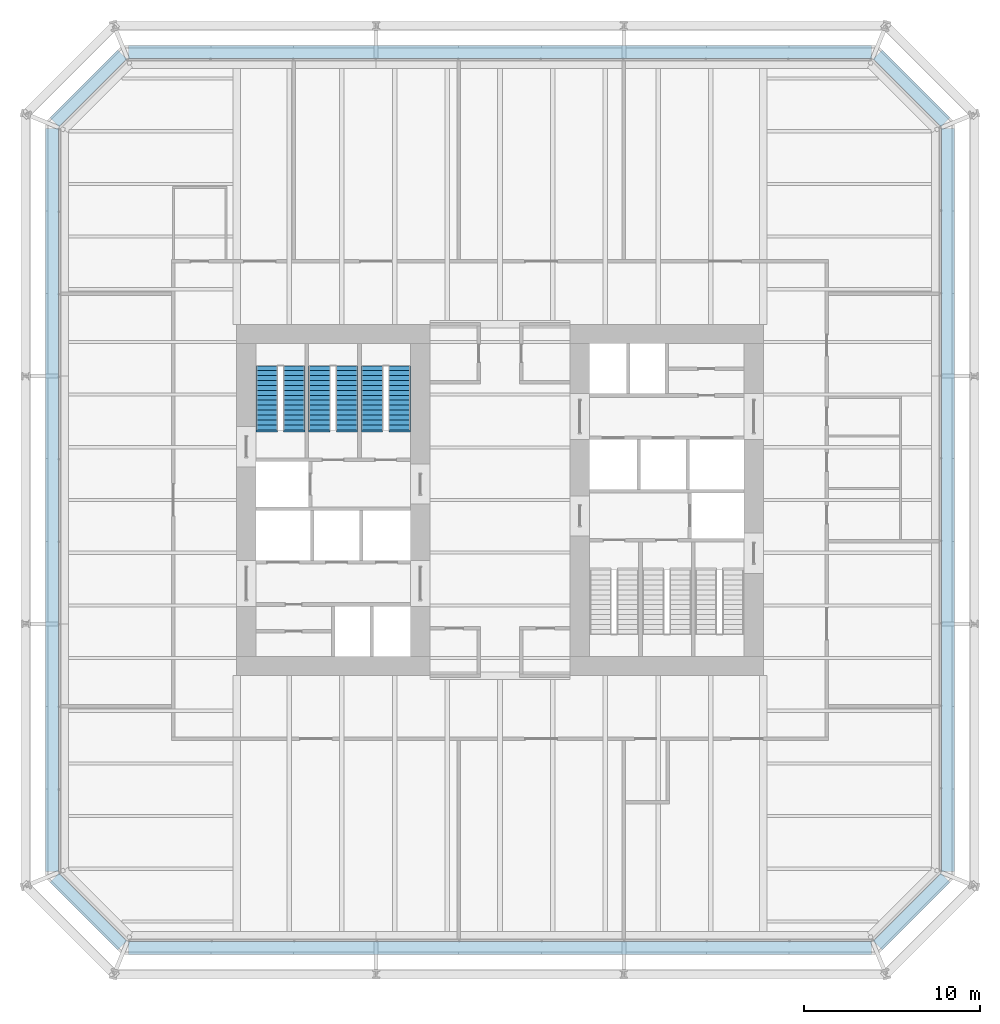
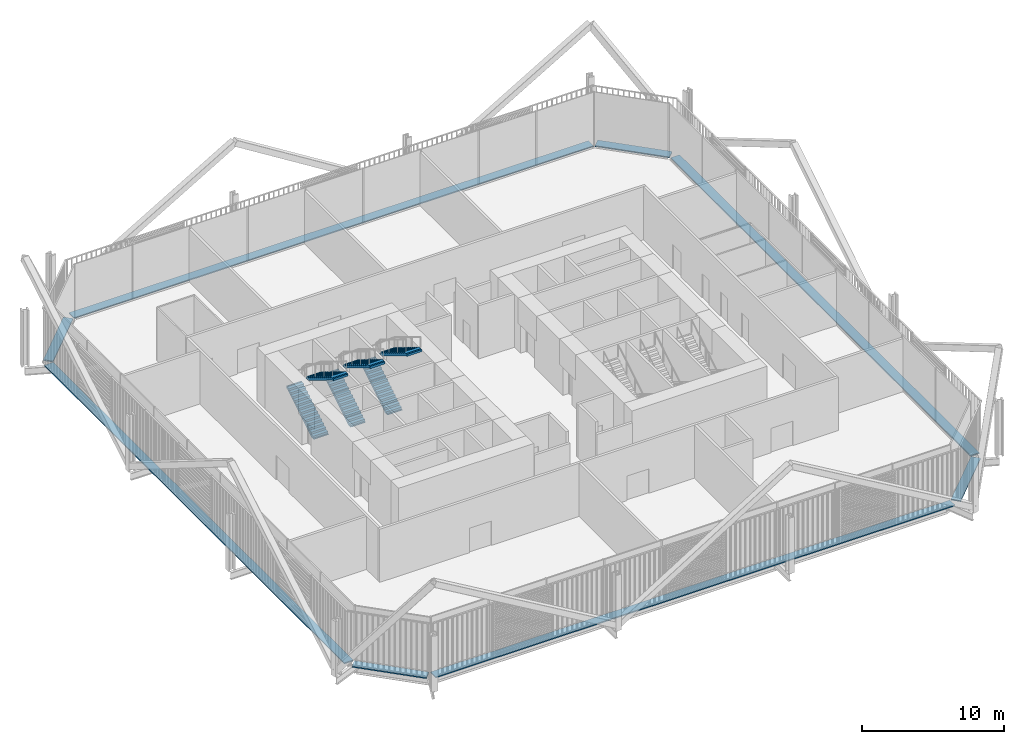
# One storey, part 21 of 22: 8 discrete accessories, 6 stair flights, 3 elements without a shape of their own.
"""IFC4 building model written with IfcOpenShell, lengths in metres."""

from ifc_helpers import new_model, si_unit, direction, frame, origin, origin_2d, place, context, subcontext, project, spatial, polyline, rectangle, outline, extrude, material, type_object, element, aggregate, save


model = new_model("IFC4")

# Units and contexts
model_context = context("Model", 3, precision=1e-05, world=origin(), true_north=direction((0.0, 1.0)))
body_context = subcontext(model_context, "Body", "Model", "MODEL_VIEW")
ifc_project = project(units=[si_unit("LENGTHUNIT", "METRE"), si_unit("AREAUNIT", "SQUARE_METRE"), si_unit("VOLUMEUNIT", "CUBIC_METRE"), si_unit("PLANEANGLEUNIT", "RADIAN"), si_unit("MASSUNIT", "GRAM", prefix="KILO")], contexts=[model_context])

# Site, building, storey
site_placement = place(None, origin())
site = spatial("IfcSite", under=ifc_project, at=site_placement, CompositionType="ELEMENT")
building_placement = place(site_placement, origin())
building = spatial("IfcBuilding", under=site, at=building_placement, Name="Millrace Tower", CompositionType="ELEMENT")
storey_placement = place(building_placement, frame((0.0, 0.0, 35.300048828125)))
storey = spatial("IfcBuildingStorey", under=building, at=storey_placement, Name="L08", CompositionType="ELEMENT", Elevation=35.300048828125)

# Stair, stair flights
ifc_material_1 = material(Name="Concrete C35", Category="concrete")
stair_type = type_object("IfcStairType", Name="Exit stair", PredefinedType="HALF_TURN_STAIR", material=ifc_material_1)
placement = place(storey_placement, origin())
stair_1 = element("IfcStair", 1, at=placement, inside=storey, type_object=stair_type, Name="Stair 1 W L08", PredefinedType="HALF_TURN_STAIR")
ifc_material_2 = material(Name="Concrete C35", Category="concrete")
stair_flight_type = type_object("IfcStairFlightType", Name="Exit stair flight", PredefinedType="STRAIGHT", material=ifc_material_2)
stair_flight_1_placement = place(storey_placement, frame((-13.2900390625, 4.0, 0.0), z_axis=(0.0, 0.0, 1.0), x_axis=(0.0, 1.0, 0.0)))
stair_flight_1 = element("IfcStairFlight", 2, at=stair_flight_1_placement, type_object=stair_flight_type, Name="ST12 flight 1", NumberOfRisers=14, NumberOfTreads=13, PredefinedType="STRAIGHT", RiserHeight=0.171428571, TreadLength=0.28, context=body_context, shape_type="SweptSolid", body=[
    extrude(outline(polyline([(-0.1201171875, -0.0400390625), (-0.1201171875, 0.0), (0.0, 0.0), (0.0, 0.17138671875), (0.280029296875, 0.17138671875), (0.280029296875, 0.3427734375), (0.56005859375, 0.3427734375), (0.56005859375, 0.514404296875), (0.840087890625, 0.514404296875), (0.840087890625, 0.685791015625), (1.1201171875, 0.685791015625), (1.1201171875, 0.857177734375), (1.39990234375, 0.857177734375), (1.39990234375, 1.028564453125), (1.679931640625, 1.028564453125), (1.679931640625, 1.199951171875), (1.9599609375, 1.199951171875), (1.9599609375, 1.371337890625), (2.239990234375, 1.371337890625), (2.239990234375, 1.54296875), (2.52001953125, 1.54296875), (2.52001953125, 1.71435546875), (2.800048828125, 1.71435546875), (2.800048828125, 1.8857421875), (3.080078125, 1.8857421875), (3.080078125, 2.05712890625), (3.360107421875, 2.05712890625), (3.360107421875, 2.228515625), (3.639892578125, 2.228515625), (3.639892578125, 2.24853515625), (3.760009765625, 2.24853515625), (3.760009765625, 2.052734375), (3.639892578125, 2.052734375), (0.287109375, 0.0), (0.287109375, -0.0400390625), (-0.1201171875, -0.0400390625)])), frame((0.0, 0.60986328125, 0.0), z_axis=(0.0, -1.0, 0.0), x_axis=(1.0, 0.0, 0.0)), (0.0, 0.0, 1.0), 1.219970703125),
])
stair_flight_2_placement = place(storey_placement, frame((-11.7099609375, 7.639892578125, 2.39990234375), z_axis=(0.0, 0.0, 1.0), x_axis=(0.0, -1.0, 0.0)))
stair_flight_2 = element("IfcStairFlight", 3, at=stair_flight_2_placement, type_object=stair_flight_type, Name="ST12 flight 2", NumberOfRisers=14, NumberOfTreads=13, PredefinedType="STRAIGHT", RiserHeight=0.171428571, TreadLength=0.28, context=body_context, shape_type="SweptSolid", body=[
    extrude(outline(polyline([(-0.1201171875, -0.0400390625), (-0.1201171875, 0.0), (0.0, 0.0), (0.0, 0.17138671875), (0.280029296875, 0.17138671875), (0.280029296875, 0.3427734375), (0.56005859375, 0.3427734375), (0.56005859375, 0.514404296875), (0.840087890625, 0.514404296875), (0.840087890625, 0.685791015625), (1.1201171875, 0.685791015625), (1.1201171875, 0.857177734375), (1.39990234375, 0.857177734375), (1.39990234375, 1.028564453125), (1.679931640625, 1.028564453125), (1.679931640625, 1.199951171875), (1.9599609375, 1.199951171875), (1.9599609375, 1.371337890625), (2.239990234375, 1.371337890625), (2.239990234375, 1.54296875), (2.52001953125, 1.54296875), (2.52001953125, 1.71435546875), (2.800048828125, 1.71435546875), (2.800048828125, 1.8857421875), (3.080078125, 1.8857421875), (3.080078125, 2.05712890625), (3.360107421875, 2.05712890625), (3.360107421875, 2.228515625), (3.639892578125, 2.228515625), (3.639892578125, 2.24853515625), (3.760009765625, 2.24853515625), (3.760009765625, 2.052734375), (3.639892578125, 2.052734375), (0.287109375, 0.0), (0.287109375, -0.0400390625), (-0.1201171875, -0.0400390625)])), frame((0.0, 0.60986328125, 0.0), z_axis=(0.0, -1.0, 0.0), x_axis=(1.0, 0.0, 0.0)), (0.0, 0.0, 1.0), 1.219970703125),
])
aggregate(stair_1, [stair_flight_1, stair_flight_2])

stair_2 = element("IfcStair", 4, at=placement, inside=storey, type_object=stair_type, Name="Stair 2 W L08", PredefinedType="HALF_TURN_STAIR")
stair_flight_3_placement = place(storey_placement, frame((-10.2900390625, 4.0, 0.0), z_axis=(0.0, 0.0, 1.0), x_axis=(0.0, 1.0, 0.0)))
stair_flight_3 = element("IfcStairFlight", 5, at=stair_flight_3_placement, type_object=stair_flight_type, Name="ST12 flight 1", NumberOfRisers=14, NumberOfTreads=13, PredefinedType="STRAIGHT", RiserHeight=0.171428571, TreadLength=0.28, context=body_context, shape_type="SweptSolid", body=[
    extrude(outline(polyline([(-0.1201171875, -0.0400390625), (-0.1201171875, 0.0), (0.0, 0.0), (0.0, 0.17138671875), (0.280029296875, 0.17138671875), (0.280029296875, 0.3427734375), (0.56005859375, 0.3427734375), (0.56005859375, 0.514404296875), (0.840087890625, 0.514404296875), (0.840087890625, 0.685791015625), (1.1201171875, 0.685791015625), (1.1201171875, 0.857177734375), (1.39990234375, 0.857177734375), (1.39990234375, 1.028564453125), (1.679931640625, 1.028564453125), (1.679931640625, 1.199951171875), (1.9599609375, 1.199951171875), (1.9599609375, 1.371337890625), (2.239990234375, 1.371337890625), (2.239990234375, 1.54296875), (2.52001953125, 1.54296875), (2.52001953125, 1.71435546875), (2.800048828125, 1.71435546875), (2.800048828125, 1.8857421875), (3.080078125, 1.8857421875), (3.080078125, 2.05712890625), (3.360107421875, 2.05712890625), (3.360107421875, 2.228515625), (3.639892578125, 2.228515625), (3.639892578125, 2.24853515625), (3.760009765625, 2.24853515625), (3.760009765625, 2.052734375), (3.639892578125, 2.052734375), (0.287109375, 0.0), (0.287109375, -0.0400390625), (-0.1201171875, -0.0400390625)])), frame((0.0, 0.60986328125, 0.0), z_axis=(0.0, -1.0, 0.0), x_axis=(1.0, 0.0, 0.0)), (0.0, 0.0, 1.0), 1.219970703125),
])
stair_flight_4_placement = place(storey_placement, frame((-8.7099609375, 7.639892578125, 2.39990234375), z_axis=(0.0, 0.0, 1.0), x_axis=(0.0, -1.0, 0.0)))
stair_flight_4 = element("IfcStairFlight", 6, at=stair_flight_4_placement, type_object=stair_flight_type, Name="ST12 flight 2", NumberOfRisers=14, NumberOfTreads=13, PredefinedType="STRAIGHT", RiserHeight=0.171428571, TreadLength=0.28, context=body_context, shape_type="SweptSolid", body=[
    extrude(outline(polyline([(-0.1201171875, -0.0400390625), (-0.1201171875, 0.0), (0.0, 0.0), (0.0, 0.17138671875), (0.280029296875, 0.17138671875), (0.280029296875, 0.3427734375), (0.56005859375, 0.3427734375), (0.56005859375, 0.514404296875), (0.840087890625, 0.514404296875), (0.840087890625, 0.685791015625), (1.1201171875, 0.685791015625), (1.1201171875, 0.857177734375), (1.39990234375, 0.857177734375), (1.39990234375, 1.028564453125), (1.679931640625, 1.028564453125), (1.679931640625, 1.199951171875), (1.9599609375, 1.199951171875), (1.9599609375, 1.371337890625), (2.239990234375, 1.371337890625), (2.239990234375, 1.54296875), (2.52001953125, 1.54296875), (2.52001953125, 1.71435546875), (2.800048828125, 1.71435546875), (2.800048828125, 1.8857421875), (3.080078125, 1.8857421875), (3.080078125, 2.05712890625), (3.360107421875, 2.05712890625), (3.360107421875, 2.228515625), (3.639892578125, 2.228515625), (3.639892578125, 2.24853515625), (3.760009765625, 2.24853515625), (3.760009765625, 2.052734375), (3.639892578125, 2.052734375), (0.287109375, 0.0), (0.287109375, -0.0400390625), (-0.1201171875, -0.0400390625)])), frame((0.0, 0.60986328125, 0.0), z_axis=(0.0, -1.0, 0.0), x_axis=(1.0, 0.0, 0.0)), (0.0, 0.0, 1.0), 1.219970703125),
])
aggregate(stair_2, [stair_flight_3, stair_flight_4])

stair_3 = element("IfcStair", 7, at=placement, inside=storey, type_object=stair_type, Name="Stair 3 W L08", PredefinedType="HALF_TURN_STAIR")
stair_flight_5_placement = place(storey_placement, frame((-7.2900390625, 4.0, 0.0), z_axis=(0.0, 0.0, 1.0), x_axis=(0.0, 1.0, 0.0)))
stair_flight_5 = element("IfcStairFlight", 8, at=stair_flight_5_placement, type_object=stair_flight_type, Name="ST12 flight 1", NumberOfRisers=14, NumberOfTreads=13, PredefinedType="STRAIGHT", RiserHeight=0.171428571, TreadLength=0.28, context=body_context, shape_type="SweptSolid", body=[
    extrude(outline(polyline([(-0.1201171875, -0.0400390625), (-0.1201171875, 0.0), (0.0, 0.0), (0.0, 0.17138671875), (0.280029296875, 0.17138671875), (0.280029296875, 0.3427734375), (0.56005859375, 0.3427734375), (0.56005859375, 0.514404296875), (0.840087890625, 0.514404296875), (0.840087890625, 0.685791015625), (1.1201171875, 0.685791015625), (1.1201171875, 0.857177734375), (1.39990234375, 0.857177734375), (1.39990234375, 1.028564453125), (1.679931640625, 1.028564453125), (1.679931640625, 1.199951171875), (1.9599609375, 1.199951171875), (1.9599609375, 1.371337890625), (2.239990234375, 1.371337890625), (2.239990234375, 1.54296875), (2.52001953125, 1.54296875), (2.52001953125, 1.71435546875), (2.800048828125, 1.71435546875), (2.800048828125, 1.8857421875), (3.080078125, 1.8857421875), (3.080078125, 2.05712890625), (3.360107421875, 2.05712890625), (3.360107421875, 2.228515625), (3.639892578125, 2.228515625), (3.639892578125, 2.24853515625), (3.760009765625, 2.24853515625), (3.760009765625, 2.052734375), (3.639892578125, 2.052734375), (0.287109375, 0.0), (0.287109375, -0.0400390625), (-0.1201171875, -0.0400390625)])), frame((0.0, 0.60986328125, 0.0), z_axis=(0.0, -1.0, 0.0), x_axis=(1.0, 0.0, 0.0)), (0.0, 0.0, 1.0), 1.219970703125),
])
stair_flight_6_placement = place(storey_placement, frame((-5.7099609375, 7.639892578125, 2.39990234375), z_axis=(0.0, 0.0, 1.0), x_axis=(0.0, -1.0, 0.0)))
stair_flight_6 = element("IfcStairFlight", 9, at=stair_flight_6_placement, type_object=stair_flight_type, Name="ST12 flight 2", NumberOfRisers=14, NumberOfTreads=13, PredefinedType="STRAIGHT", RiserHeight=0.171428571, TreadLength=0.28, context=body_context, shape_type="SweptSolid", body=[
    extrude(outline(polyline([(-0.1201171875, -0.0400390625), (-0.1201171875, 0.0), (0.0, 0.0), (0.0, 0.17138671875), (0.280029296875, 0.17138671875), (0.280029296875, 0.3427734375), (0.56005859375, 0.3427734375), (0.56005859375, 0.514404296875), (0.840087890625, 0.514404296875), (0.840087890625, 0.685791015625), (1.1201171875, 0.685791015625), (1.1201171875, 0.857177734375), (1.39990234375, 0.857177734375), (1.39990234375, 1.028564453125), (1.679931640625, 1.028564453125), (1.679931640625, 1.199951171875), (1.9599609375, 1.199951171875), (1.9599609375, 1.371337890625), (2.239990234375, 1.371337890625), (2.239990234375, 1.54296875), (2.52001953125, 1.54296875), (2.52001953125, 1.71435546875), (2.800048828125, 1.71435546875), (2.800048828125, 1.8857421875), (3.080078125, 1.8857421875), (3.080078125, 2.05712890625), (3.360107421875, 2.05712890625), (3.360107421875, 2.228515625), (3.639892578125, 2.228515625), (3.639892578125, 2.24853515625), (3.760009765625, 2.24853515625), (3.760009765625, 2.052734375), (3.639892578125, 2.052734375), (0.287109375, 0.0), (0.287109375, -0.0400390625), (-0.1201171875, -0.0400390625)])), frame((0.0, 0.60986328125, 0.0), z_axis=(0.0, -1.0, 0.0), x_axis=(1.0, 0.0, 0.0)), (0.0, 0.0, 1.0), 1.219970703125),
])
aggregate(stair_3, [stair_flight_5, stair_flight_6])

# Discrete accessories
ifc_material_3 = material(Name="Stainless steel ASTM A240 type 316", Category="steel")
discrete_accessory_type = type_object("IfcDiscreteAccessoryType", Name="Thermally broken screen support rail", PredefinedType="BRACKET", material=ifc_material_3)
discrete_accessory_1_placement = place(storey_placement, frame((-23.435546875, -23.435546875, 0.0), z_axis=(0.0, 0.0, 1.0), x_axis=(0.707106781187, -0.707106781187, 0.0)))
element("IfcDiscreteAccessory", 10, at=discrete_accessory_1_placement, inside=storey, type_object=discrete_accessory_type, Name="Thermally broken screen support rail A-F01 L08 1", PredefinedType="BRACKET", context=body_context, shape_type="SweptSolid", body=[
    extrude(rectangle(XDim=5.44482421875, YDim=0.719970703125, at=origin_2d()), origin(), (0.0, 0.0, 1.0), 0.10009765625),
])
discrete_accessory_2_placement = place(storey_placement, frame((0.0, -25.510009765625, 0.0), z_axis=(0.0, 0.0, 1.0), x_axis=(1.0, 0.0, 0.0)))
element("IfcDiscreteAccessory", 11, at=discrete_accessory_2_placement, inside=storey, type_object=discrete_accessory_type, Name="Thermally broken screen support rail A-F02 L08 1", PredefinedType="BRACKET", context=body_context, shape_type="SweptSolid", body=[
    extrude(rectangle(XDim=42.300048828125, YDim=0.719970703125, at=origin_2d()), origin(), (0.0, 0.0, 1.0), 0.10009765625),
])
discrete_accessory_3_placement = place(storey_placement, frame((23.435546875, -23.435546875, 0.0), z_axis=(0.0, 0.0, 1.0), x_axis=(0.707106781187, 0.707106781187, 0.0)))
element("IfcDiscreteAccessory", 12, at=discrete_accessory_3_placement, inside=storey, type_object=discrete_accessory_type, Name="Thermally broken screen support rail A-F03 L08 1", PredefinedType="BRACKET", context=body_context, shape_type="SweptSolid", body=[
    extrude(rectangle(XDim=5.44482421875, YDim=0.719970703125, at=origin_2d()), origin(), (0.0, 0.0, 1.0), 0.10009765625),
])
discrete_accessory_4_placement = place(storey_placement, frame((25.510009765625, 0.0, 0.0), z_axis=(0.0, 0.0, 1.0), x_axis=(0.0, 1.0, 0.0)))
element("IfcDiscreteAccessory", 13, at=discrete_accessory_4_placement, inside=storey, type_object=discrete_accessory_type, Name="Thermally broken screen support rail A-F04 L08 1", PredefinedType="BRACKET", context=body_context, shape_type="SweptSolid", body=[
    extrude(rectangle(XDim=42.300048828125, YDim=0.719970703125, at=origin_2d()), origin(), (0.0, 0.0, 1.0), 0.10009765625),
])
discrete_accessory_5_placement = place(storey_placement, frame((23.435546875, 23.435546875, 0.0), z_axis=(0.0, 0.0, 1.0), x_axis=(-0.707106781187, 0.707106781187, 0.0)))
element("IfcDiscreteAccessory", 14, at=discrete_accessory_5_placement, inside=storey, type_object=discrete_accessory_type, Name="Thermally broken screen support rail A-F05 L08 1", PredefinedType="BRACKET", context=body_context, shape_type="SweptSolid", body=[
    extrude(rectangle(XDim=5.44482421875, YDim=0.719970703125, at=origin_2d()), origin(), (0.0, 0.0, 1.0), 0.10009765625),
])
discrete_accessory_6_placement = place(storey_placement, frame((0.0, 25.510009765625, 0.0), z_axis=(0.0, 0.0, 1.0), x_axis=(-1.0, 0.0, 0.0)))
element("IfcDiscreteAccessory", 15, at=discrete_accessory_6_placement, inside=storey, type_object=discrete_accessory_type, Name="Thermally broken screen support rail A-F06 L08 1", PredefinedType="BRACKET", context=body_context, shape_type="SweptSolid", body=[
    extrude(rectangle(XDim=42.300048828125, YDim=0.719970703125, at=origin_2d()), origin(), (0.0, 0.0, 1.0), 0.10009765625),
])
discrete_accessory_7_placement = place(storey_placement, frame((-23.435546875, 23.435546875, 0.0), z_axis=(0.0, 0.0, 1.0), x_axis=(-0.707106781187, -0.707106781187, 0.0)))
element("IfcDiscreteAccessory", 16, at=discrete_accessory_7_placement, inside=storey, type_object=discrete_accessory_type, Name="Thermally broken screen support rail A-F07 L08 1", PredefinedType="BRACKET", context=body_context, shape_type="SweptSolid", body=[
    extrude(rectangle(XDim=5.44482421875, YDim=0.719970703125, at=origin_2d()), origin(), (0.0, 0.0, 1.0), 0.10009765625),
])
discrete_accessory_8_placement = place(storey_placement, frame((-25.510009765625, 0.0, 0.0), z_axis=(0.0, 0.0, 1.0), x_axis=(0.0, -1.0, 0.0)))
element("IfcDiscreteAccessory", 17, at=discrete_accessory_8_placement, inside=storey, type_object=discrete_accessory_type, Name="Thermally broken screen support rail A-F08 L08 1", PredefinedType="BRACKET", context=body_context, shape_type="SweptSolid", body=[
    extrude(rectangle(XDim=42.300048828125, YDim=0.719970703125, at=origin_2d()), origin(), (0.0, 0.0, 1.0), 0.10009765625),
])

save(model, "model.ifc")
